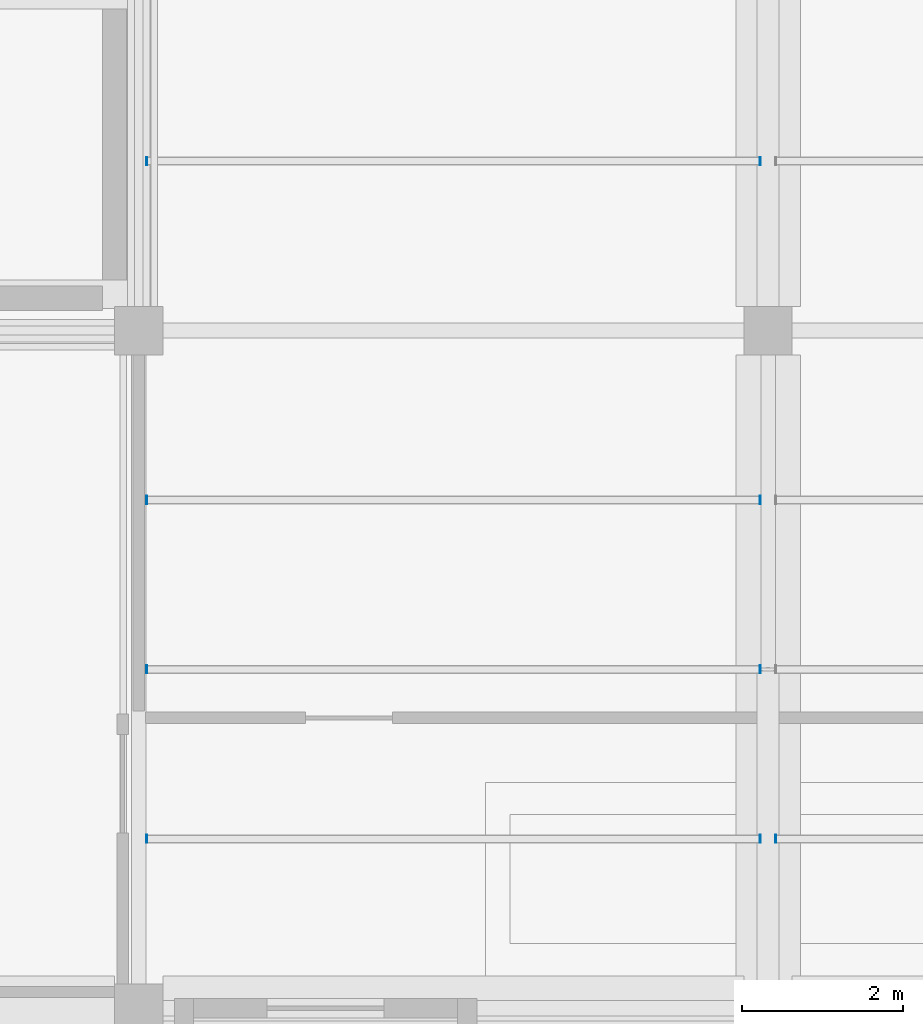
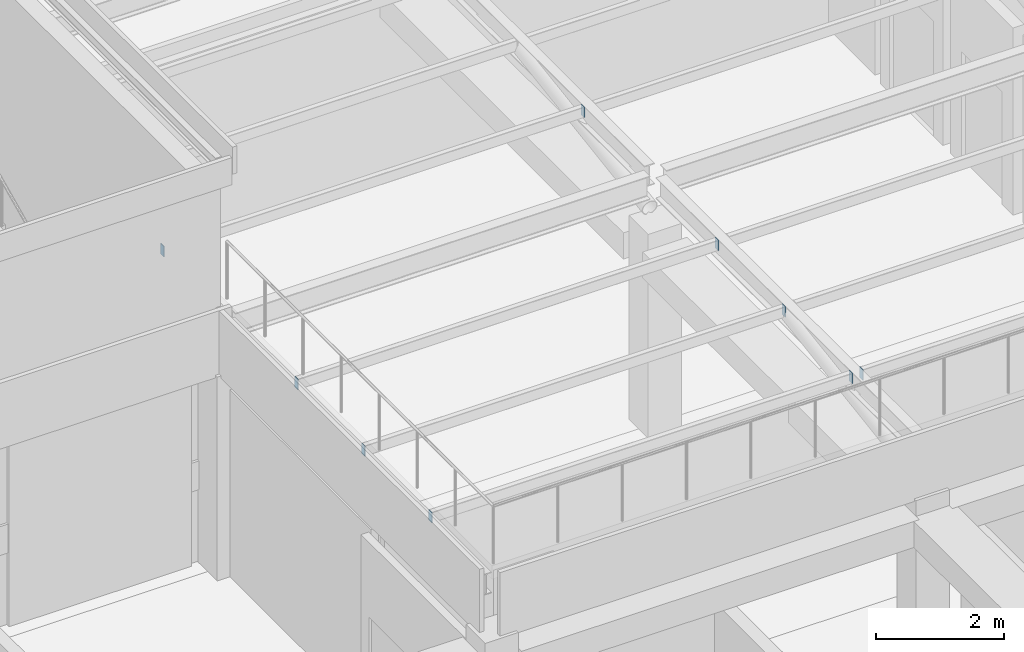
# One storey, part 5 of 20: 9 plates.
"""IFC4 building model written with IfcOpenShell, lengths in metres."""

from ifc_helpers import new_model, si_unit, direction, frame, origin, origin_2d, place, context, subcontext, project, spatial, rectangle, extrude, material, layer, layer_set, type_object, element, save


model = new_model("IFC4")

# Units and contexts
model_context = context("Model", 3, precision=1e-05, world=origin(), true_north=direction((0.0, 1.0)))
body_context = subcontext(model_context, "Body", "Model", "MODEL_VIEW")
ifc_project = project(units=[si_unit("LENGTHUNIT", "METRE"), si_unit("AREAUNIT", "SQUARE_METRE"), si_unit("VOLUMEUNIT", "CUBIC_METRE"), si_unit("PLANEANGLEUNIT", "RADIAN"), si_unit("MASSUNIT", "GRAM", prefix="KILO"), si_unit("THERMODYNAMICTEMPERATUREUNIT", "KELVIN"), si_unit("POWERUNIT", "WATT")], contexts=[model_context])

# Site, building, storey
site_placement = place(None, origin())
site = spatial("IfcSite", under=ifc_project, at=site_placement, CompositionType="ELEMENT")
building_placement = place(site_placement, origin())
building = spatial("IfcBuilding", under=site, at=building_placement, Name="Srebrne Nadtorze General Hospital", CompositionType="ELEMENT")
storey_placement = place(building_placement, frame((0.0, 0.0, 33.89990234375)))
storey = spatial("IfcBuildingStorey", under=building, at=storey_placement, Name="L08", CompositionType="ELEMENT", Elevation=33.89990234375)

# Plates
ifc_material = material(Name="Steel S355J2", Category="steel")
ifc_layer = layer(ifc_material, 0.011962890625)
ifc_layer_set = layer_set([ifc_layer], Name="Steel S355J2")
plate_type = type_object("IfcPlateType", Name="Steel bearing plate 12", PredefinedType="SHEET", material=ifc_layer_set)
for number, where, z_axis, x_axis, name in (
    (1, (31.2958984375, 52.5, 4.64013671875), (0.0, 0.0, 1.0), (1.0, 0.0, 0.0), "Helipad deck purlin end plate 1-1"),
    (2, (38.904052734375, 52.5, 4.64013671875), (0.0, 0.0, 1.0), (1.0, 0.0, 0.0), "Helipad deck purlin end plate 1-2"),
    (3, (31.2958984375, 54.60009765625, 4.64013671875), (0.0, 0.0, 1.0), (1.0, 0.0, 0.0), "Helipad deck purlin end plate 2-1"),
    (4, (38.904052734375, 54.60009765625, 4.64013671875), (0.0, 0.0, 1.0), (1.0, 0.0, 0.0), "Helipad deck purlin end plate 2-2"),
    (5, (31.2958984375, 56.699951171875, 4.64013671875), (0.0, 0.0, 1.0), (1.0, 0.0, 0.0), "Helipad deck purlin end plate 3-1"),
    (6, (38.904052734375, 56.699951171875, 4.64013671875), (0.0, 0.0, 1.0), (1.0, 0.0, 0.0), "Helipad deck purlin end plate 3-2"),
    (7, (31.2958984375, 60.89990234375, 4.64013671875), (0.0, 0.0, 1.0), (1.0, 0.0, 0.0), "Helipad deck purlin end plate 4-1"),
    (8, (38.904052734375, 60.89990234375, 4.64013671875), (0.0, 0.0, 1.0), (1.0, 0.0, 0.0), "Helipad deck purlin end plate 4-2"),
    (9, (39.095947265625, 52.5, 4.64013671875), (0.0, 0.0, 1.0), (1.0, 0.0, 0.0), "Helipad deck purlin end plate 10-1"),
):
    element("IfcPlate", number, at=place(storey_placement, frame(where, z_axis=z_axis, x_axis=x_axis)), inside=storey, type_object=plate_type, Name=name, PredefinedType="SHEET", context=body_context, shape_type="SweptSolid", body=[
        extrude(rectangle(XDim=0.011962890625, YDim=0.10009765625, at=origin_2d()), origin(), (0.0, 0.0, 1.0), 0.199951171875),
    ])

save(model, "model.ifc")
